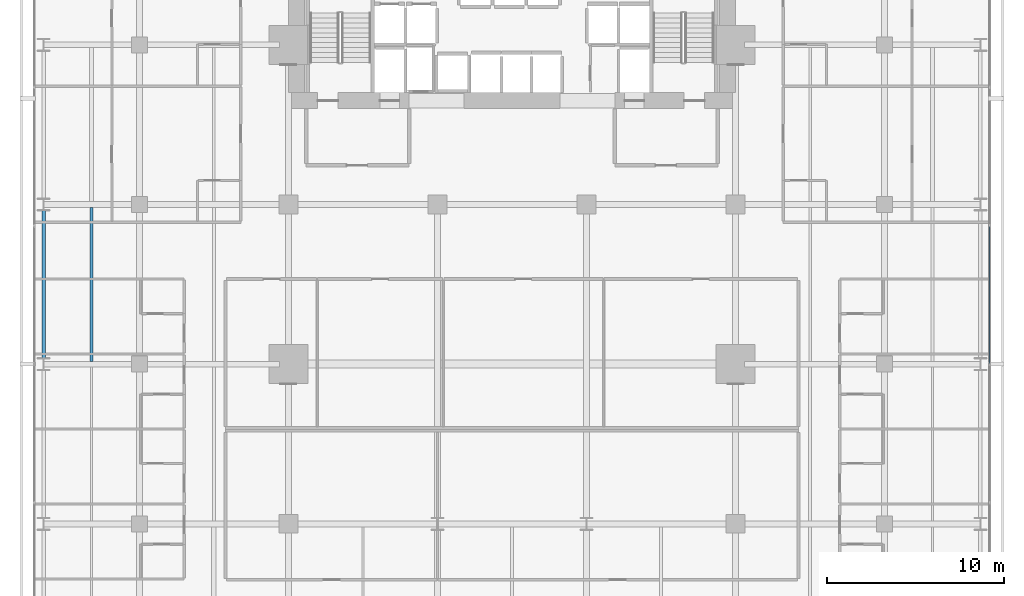
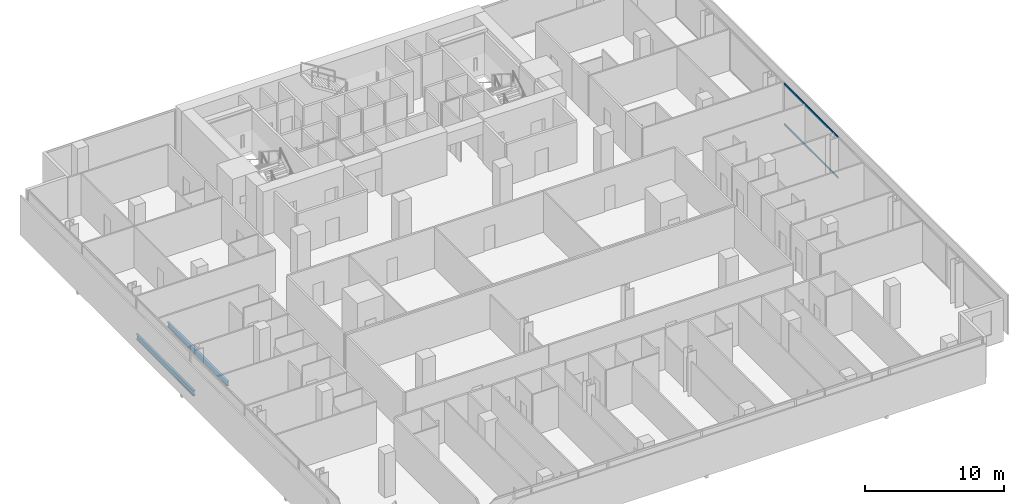
# One storey, part 20 of 40: 2 beams, 2 members, 1 element without a shape of its own.
"""IFC4 building model written with IfcOpenShell, lengths in metres."""

from ifc_helpers import new_model, si_unit, direction, frame, origin, origin_2d, place, context, subcontext, project, spatial, hollow_rectangle, i_section, extrude, material, layer, layer_set, material_profile, profile_set, type_object, element, aggregate, save


model = new_model("IFC4")

# Units and contexts
model_context = context("Model", 3, precision=1e-05, world=origin(), true_north=direction((0.0, 1.0)))
body_context = subcontext(model_context, "Body", "Model", "MODEL_VIEW")
ifc_project = project(units=[si_unit("LENGTHUNIT", "METRE"), si_unit("AREAUNIT", "SQUARE_METRE"), si_unit("VOLUMEUNIT", "CUBIC_METRE"), si_unit("PLANEANGLEUNIT", "RADIAN"), si_unit("MASSUNIT", "GRAM", prefix="KILO")], contexts=[model_context])

# Site, building, storey
site_placement = place(None, origin())
site = spatial("IfcSite", under=ifc_project, at=site_placement, CompositionType="ELEMENT")
building_placement = place(site_placement, origin())
building = spatial("IfcBuilding", under=site, at=building_placement, Name="Maruvema Waterfront Hotel and Observation Tower", CompositionType="ELEMENT")
storey_placement = place(building_placement, frame((0.0, 0.0, 34.64990234375)))
storey = spatial("IfcBuildingStorey", under=building, at=storey_placement, Name="L07", CompositionType="ELEMENT", Elevation=34.64990234375)

# Curtain wall, members
ifc_material_1 = material(Name="Anodised bronze aluminium and solar-control low-E IGU", Category="aluminium")
ifc_layer = layer(ifc_material_1, 0.159912109375, Name="Zone 1 Bronze Inner Thermal Curtain Wall System CW-02")
ifc_layer_set = layer_set([ifc_layer], Name="Anodised bronze aluminium and solar-control low-E IGU")
curtain_wall_type = type_object("IfcCurtainWallType", Name="Zone 1 Bronze Inner Thermal Curtain Wall System CW-02", PredefinedType="USERDEFINED", material=ifc_layer_set)
curtain_wall_placement = place(storey_placement, origin())
curtain_wall = element("IfcCurtainWall", 1, at=curtain_wall_placement, inside=storey, type_object=curtain_wall_type, Name="L07 Curtain Wall CW-L07-E", ObjectType="UNITISED CURTAIN WALL", PredefinedType="USERDEFINED")
ifc_material_2 = material(Name="Anodised architectural bronze aluminium", Category="aluminium")
ifc_material_profile_1 = material_profile(ifc_material_2, hollow_rectangle(XDim=0.070068359375, YDim=0.14990234375, WallThickness=0.00390625, at=origin_2d()), Name="ALU-T70x150")
ifc_profile_set_1 = profile_set([ifc_material_profile_1], Name="Anodised architectural bronze aluminium")
member_type = type_object("IfcMemberType", Name="Curtain Wall Horizontal Transom ALU-T70x150", PredefinedType="USERDEFINED", material=ifc_profile_set_1)
member_1_placement = place(storey_placement, frame((64.719970703125, 27.030029296875, 0.030029296875), z_axis=(0.0, 1.0, 0.0), x_axis=(-1.0, 0.0, 0.0)))
member_1 = element("IfcMember", 2, at=member_1_placement, type_object=member_type, Name="CW-02 transom 4.1", ObjectType="TRANSOM", PredefinedType="USERDEFINED", context=body_context, shape_type="SweptSolid", body=[
    extrude(hollow_rectangle(XDim=0.070068359375, YDim=0.14990234375, WallThickness=0.00390625, at=origin_2d()), origin(), (0.0, 0.0, 1.0), 7.739990234375),
])
member_2_placement = place(storey_placement, frame((64.719970703125, 27.030029296875, 3.580078125), z_axis=(0.0, 1.0, 0.0), x_axis=(-1.0, 0.0, 0.0)))
member_2 = element("IfcMember", 3, at=member_2_placement, type_object=member_type, Name="CW-02 transom 4.2", ObjectType="TRANSOM", PredefinedType="USERDEFINED", context=body_context, shape_type="SweptSolid", body=[
    extrude(hollow_rectangle(XDim=0.070068359375, YDim=0.14990234375, WallThickness=0.00390625, at=origin_2d()), origin(), (0.0, 0.0, 1.0), 7.739990234375),
])
aggregate(curtain_wall, [member_1, member_2])

# Beams
ifc_material_3 = material(Name="Steel ASTM A572 Grade 50", Category="steel")
ifc_material_profile_2 = material_profile(ifc_material_3, i_section(OverallWidth=0.18994140625, OverallDepth=0.45703125, WebThickness=0.009033203125, FlangeThickness=0.014404296875, FilletRadius=0.014892578125, at=origin_2d()), Name="W460x74.0")
ifc_profile_set_2 = profile_set([ifc_material_profile_2], Name="Steel ASTM A572 Grade 50")
beam_type_1 = type_object("IfcBeamType", Name="Perimeter Spandrel Beam W460x74.0", PredefinedType="SPANDREL", material=ifc_profile_set_2)
beam_1_placement = place(storey_placement, frame((11.39990234375, 27.35009765625, -0.468505859375), z_axis=(0.0, 1.0, 0.0), x_axis=(-1.0, 0.0, 0.0)))
element("IfcBeam", 4, at=beam_1_placement, inside=storey, type_object=beam_type_1, Name="L07 Floor Girder NS-03", PredefinedType="SPANDREL", context=body_context, shape_type="SweptSolid", body=[
    extrude(i_section(OverallWidth=0.18994140625, OverallDepth=0.45703125, WebThickness=0.009033203125, FlangeThickness=0.014404296875, FilletRadius=0.014892578125, at=origin_2d()), origin(), (0.0, 0.0, 1.0), 8.2998046875),
])
ifc_material_4 = material(Name="Steel ASTM A572 Grade 50", Category="steel")
ifc_material_profile_3 = material_profile(ifc_material_4, i_section(OverallWidth=0.177001953125, OverallDepth=0.403076171875, WebThickness=0.007568359375, FlangeThickness=0.010986328125, FilletRadius=0.014892578125, at=origin_2d()), Name="W410x53.0")
ifc_profile_set_3 = profile_set([ifc_material_profile_3], Name="Steel ASTM A572 Grade 50")
beam_type_2 = type_object("IfcBeamType", Name="Secondary Floor Joist W410x53.0", PredefinedType="JOIST", material=ifc_profile_set_3)
beam_2_placement = place(storey_placement, frame((14.10009765625, 27.16455078125, -0.44140625), z_axis=(0.0, 1.0, 0.0), x_axis=(-1.0, 0.0, 0.0)))
element("IfcBeam", 5, at=beam_2_placement, inside=storey, type_object=beam_type_2, Name="L07 Secondary Floor Joist JS-03", PredefinedType="JOIST", context=body_context, shape_type="SweptSolid", body=[
    extrude(i_section(OverallWidth=0.177001953125, OverallDepth=0.403076171875, WebThickness=0.007568359375, FlangeThickness=0.010986328125, FilletRadius=0.014892578125, at=origin_2d()), origin(), (0.0, 0.0, 1.0), 8.6708984375),
])

save(model, "model.ifc")
